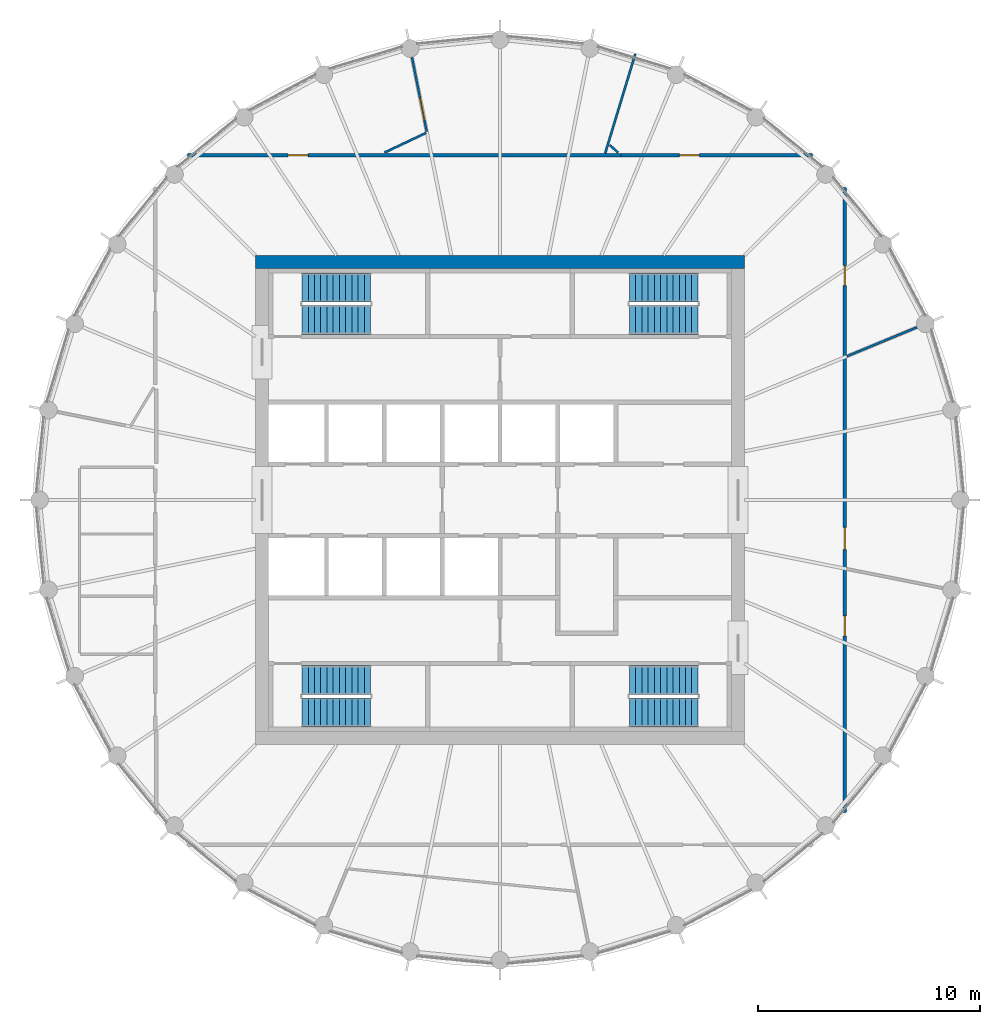
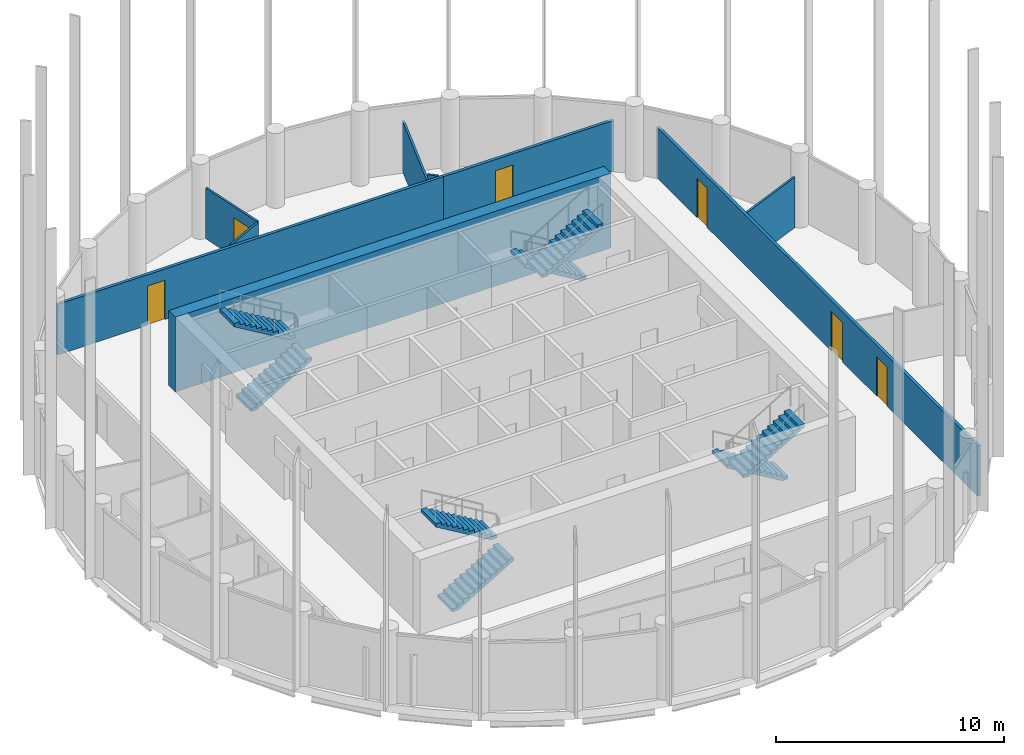
# One storey, part 6 of 7: 9 walls, 8 stair flights, 6 doors, 6 openings, 4 elements without a shape of their own.
"""IFC4 building model written with IfcOpenShell, lengths in metres."""

from ifc_helpers import new_model, si_unit, direction, frame, frame_2d, origin, place, context, subcontext, project, spatial, polyline, rectangle, outline, extrude, material, layer, layer_set, type_object, element, fill, aggregate, save


model = new_model("IFC4")

# Units and contexts
model_context = context("Model", 3, precision=1e-05, world=origin(), true_north=direction((0.0, 1.0)))
body_context = subcontext(model_context, "Body", "Model", "MODEL_VIEW")
ifc_project = project(units=[si_unit("LENGTHUNIT", "METRE"), si_unit("AREAUNIT", "SQUARE_METRE"), si_unit("VOLUMEUNIT", "CUBIC_METRE"), si_unit("PLANEANGLEUNIT", "RADIAN"), si_unit("MASSUNIT", "GRAM", prefix="KILO")], contexts=[model_context])

# Site, building, storey
site_placement = place(None, origin())
site = spatial("IfcSite", under=ifc_project, at=site_placement, CompositionType="ELEMENT")
building_placement = place(site_placement, origin())
building = spatial("IfcBuilding", under=site, at=building_placement, Name="Corvane Civic Tower", CompositionType="ELEMENT")
storey_placement = place(building_placement, frame((0.0, 0.0, 324.5)))
storey = spatial("IfcBuildingStorey", under=building, at=storey_placement, Name="L77", CompositionType="ELEMENT", Elevation=324.5)

# Walls
ifc_material_1 = material(Name="Concrete C40/50", Category="concrete")
ifc_layer_1 = layer(ifc_material_1, 0.60009765625)
ifc_layer_set_1 = layer_set([ifc_layer_1], Name="Concrete C40/50")
wall_type_1 = type_object("IfcWallType", Name="CORE WALL 600 C40/50", PredefinedType="SHEAR", material=ifc_layer_set_1)
wall_1_placement = place(storey_placement, frame((-11.0, 10.699951171875, 0.0), z_axis=(0.0, 0.0, 1.0), x_axis=(1.0, 0.0, 0.0)))
element("IfcWall", 1, at=wall_1_placement, inside=storey, type_object=wall_type_1, Name="W-L77-core-N", PredefinedType="SHEAR", context=body_context, shape_type="SweptSolid", body=[
    extrude(rectangle(XDim=22.0, YDim=0.60009765625, at=frame_2d((11.0, 0.0))), origin(), (0.0, 0.0, 1.0), 4.0),
])
ifc_material_2 = material(Name="Plasterboard")
ifc_layer_2 = layer(ifc_material_2, 0.10009765625)
ifc_layer_set_2 = layer_set([ifc_layer_2], Name="Plasterboard")
wall_type_2 = type_object("IfcWallType", Name="Partition 100 plasterboard on studs", PredefinedType="PARTITIONING", material=ifc_layer_set_2)
wall_2_placement = place(storey_placement, frame((15.593994140625, 6.459228515625, 0.0), z_axis=(0.0, 0.0, 1.0), x_axis=(0.923881629558, 0.382678369606, 0.0)))
element("IfcWall", 2, at=wall_2_placement, inside=storey, type_object=wall_type_2, Name="Partition L77.018", PredefinedType="PARTITIONING", context=body_context, shape_type="SweptSolid", body=[
    extrude(rectangle(XDim=3.411376953125, YDim=0.10009765625, at=frame_2d((1.70556640625, 0.0))), origin(), (0.0, 0.0, 1.0), 2.699951171875),
])
wall_3_placement = place(storey_placement, frame((4.72900390625, 15.589599609375, 0.0), z_axis=(0.0, 0.0, 1.0), x_axis=(0.290298250417, 0.956936218253, 0.0)))
element("IfcWall", 3, at=wall_3_placement, inside=storey, type_object=wall_type_2, Name="Partition L77.021", PredefinedType="PARTITIONING", context=body_context, shape_type="SweptSolid", body=[
    extrude(rectangle(XDim=4.6591796875, YDim=0.10009765625, at=frame_2d((2.32958984375, 0.0))), origin(), (0.0, 0.0, 1.0), 2.699951171875),
])
wall_4_placement = place(storey_placement, frame((-5.1923828125, 15.6201171875, 0.0), z_axis=(0.0, 0.0, 1.0), x_axis=(0.904004297202, 0.427523368532, 0.0)))
element("IfcWall", 4, at=wall_4_placement, inside=storey, type_object=wall_type_2, Name="Partition L77.022", PredefinedType="PARTITIONING", context=body_context, shape_type="SweptSolid", body=[
    extrude(rectangle(XDim=2.069580078125, YDim=0.10009765625, at=frame_2d((1.03466796875, 0.0))), origin(), (0.0, 0.0, 1.0), 2.699951171875),
])

# Wall, opening, door
wall_5_placement = place(storey_placement, frame((-3.95849609375, 19.900146484375, 0.0), z_axis=(0.0, 0.0, 1.0), x_axis=(0.195123488807, -0.980778682535, 0.0)))
wall_5 = element("IfcWall", 5, at=wall_5_placement, inside=storey, type_object=wall_type_2, Name="Partition L77.023", PredefinedType="PARTITIONING", context=body_context, shape_type="SweptSolid", body=[
    extrude(rectangle(XDim=3.40576171875, YDim=0.10009765625, at=frame_2d((1.702880859375, 0.0))), origin(), (0.0, 0.0, 1.0), 2.699951171875),
])
opening_1_placement = place(wall_5_placement, frame((1.877197265625, 0.0, 0.0)))
opening_1 = element("IfcOpeningElement", 6, at=opening_1_placement, cuts=wall_5, Name="Opening L77.003", PredefinedType="OPENING", context=body_context, shape_type="SweptSolid", body=[
    extrude(rectangle(XDim=1.0, YDim=2.10009765625, at=frame_2d((0.5, 1.050048828125))), frame((0.0, 0.06005859375, 0.0), z_axis=(0.0, -1.0, 0.0), x_axis=(1.0, 0.0, 0.0)), (0.0, 0.0, 1.0), 0.1201171875),
])
ifc_material_3 = material(Name="Timber", Category="wood")
door_type_1 = type_object("IfcDoorType", Name="Single door 1000", OperationType="NOTDEFINED", PredefinedType="DOOR", material=ifc_material_3)
door_1_placement = place(opening_1_placement, origin())
door_1 = element("IfcDoor", 7, at=door_1_placement, inside=storey, type_object=door_type_1, Name="Door L77.003", OperationType="SINGLE_SWING_LEFT", OverallHeight=2.10009765625, OverallWidth=1.0, PredefinedType="DOOR", context=body_context, shape_type="SweptSolid", body=[
    extrude(rectangle(XDim=1.0, YDim=2.10009765625, at=frame_2d((0.5, 1.050048828125))), frame((0.0, 0.02490234375, 0.0), z_axis=(0.0, -1.0, 0.0), x_axis=(1.0, 0.0, 0.0)), (0.0, 0.0, 1.0), 0.050048828125),
])
fill(opening_1, door_1)

# Wall
wall_6_placement = place(storey_placement, frame((4.9345703125, 15.957275390625, 0.0), z_axis=(0.0, 0.0, 1.0), x_axis=(0.74097950347, -0.671527643093, 0.0)))
element("IfcWall", 8, at=wall_6_placement, inside=storey, type_object=wall_type_2, Name="Partition L77.024", PredefinedType="PARTITIONING", context=body_context, shape_type="SweptSolid", body=[
    extrude(rectangle(XDim=0.509765625, YDim=0.10009765625, at=frame_2d((0.2548828125, 0.0))), origin(), (0.0, 0.0, 1.0), 2.699951171875),
])

# Wall, openings, doors
ifc_material_4 = material(Name="Plasterboard")
ifc_layer_3 = layer(ifc_material_4, 0.14990234375)
ifc_layer_set_3 = layer_set([ifc_layer_3], Name="Plasterboard")
wall_type_3 = type_object("IfcWallType", Name="Tenancy wall 150 EI 60", PredefinedType="PARTITIONING", material=ifc_layer_set_3)
wall_7_placement = place(storey_placement, frame((15.5, -14.05712890625, 0.0), z_axis=(0.0, 0.0, 1.0), x_axis=(0.0, 1.0, 0.0)))
wall_7 = element("IfcWall", 9, at=wall_7_placement, inside=storey, type_object=wall_type_3, Name="Partition L77.006", PredefinedType="PARTITIONING", context=body_context, shape_type="SweptSolid", body=[
    extrude(rectangle(XDim=28.1142578125, YDim=0.14990234375, at=frame_2d((14.05712890625, 0.0))), origin(), (0.0, 0.0, 1.0), 2.699951171875),
])
opening_2_placement = place(wall_7_placement, frame((23.69189453125, 0.0, 0.0)))
opening_2 = element("IfcOpeningElement", 10, at=opening_2_placement, cuts=wall_7, Name="Opening L77.004", PredefinedType="OPENING", context=body_context, shape_type="SweptSolid", body=[
    extrude(rectangle(XDim=0.89990234375, YDim=2.10009765625, at=frame_2d((0.449951171875, 1.050048828125))), frame((0.0, 0.0849609375, 0.0), z_axis=(0.0, -1.0, 0.0), x_axis=(1.0, 0.0, 0.0)), (0.0, 0.0, 1.0), 0.169921875),
])
opening_3_placement = place(wall_7_placement, frame((11.826416015625, 0.0, 0.0)))
opening_3 = element("IfcOpeningElement", 11, at=opening_3_placement, cuts=wall_7, Name="Opening L77.006", PredefinedType="OPENING", context=body_context, shape_type="SweptSolid", body=[
    extrude(rectangle(XDim=1.0, YDim=2.10009765625, at=frame_2d((0.5, 1.050048828125))), frame((0.0, 0.0849609375, 0.0), z_axis=(0.0, -1.0, 0.0), x_axis=(1.0, 0.0, 0.0)), (0.0, 0.0, 1.0), 0.169921875),
])
opening_4_placement = place(wall_7_placement, frame((7.94677734375, 0.0, 0.0)))
opening_4 = element("IfcOpeningElement", 12, at=opening_4_placement, cuts=wall_7, Name="Opening L77.007", PredefinedType="OPENING", context=body_context, shape_type="SweptSolid", body=[
    extrude(rectangle(XDim=0.89990234375, YDim=2.10009765625, at=frame_2d((0.449951171875, 1.050048828125))), frame((0.0, 0.0849609375, 0.0), z_axis=(0.0, -1.0, 0.0), x_axis=(1.0, 0.0, 0.0)), (0.0, 0.0, 1.0), 0.169921875),
])
ifc_material_5 = material(Name="Steel and timber", Category="steel")
door_type_2 = type_object("IfcDoorType", Name="Fire door FD30S 1000", OperationType="NOTDEFINED", PredefinedType="DOOR", material=ifc_material_5)
door_2_placement = place(opening_3_placement, frame((1.0, 0.0, 0.0), z_axis=(0.0, 0.0, 1.0), x_axis=(-1.0, 0.0, 0.0)))
door_2 = element("IfcDoor", 13, at=door_2_placement, inside=storey, type_object=door_type_2, Name="Door L77.006", OperationType="SINGLE_SWING_LEFT", OverallHeight=2.10009765625, OverallWidth=1.0, PredefinedType="DOOR", context=body_context, shape_type="SweptSolid", body=[
    extrude(rectangle(XDim=1.0, YDim=2.10009765625, at=frame_2d((0.5, 1.050048828125))), frame((0.0, 0.02490234375, 0.0), z_axis=(0.0, -1.0, 0.0), x_axis=(1.0, 0.0, 0.0)), (0.0, 0.0, 1.0), 0.050048828125),
])
fill(opening_3, door_2)
ifc_material_6 = material(Name="Steel and timber", Category="steel")
door_type_3 = type_object("IfcDoorType", Name="Fire door FD30S 900", OperationType="NOTDEFINED", PredefinedType="DOOR", material=ifc_material_6)
door_3_placement = place(opening_2_placement, frame((0.89990234375, 0.0, 0.0), z_axis=(0.0, 0.0, 1.0), x_axis=(-1.0, 0.0, 0.0)))
door_3 = element("IfcDoor", 14, at=door_3_placement, inside=storey, type_object=door_type_3, Name="Door L77.004", OperationType="SINGLE_SWING_LEFT", OverallHeight=2.10009765625, OverallWidth=0.89990234375, PredefinedType="DOOR", context=body_context, shape_type="SweptSolid", body=[
    extrude(rectangle(XDim=0.89990234375, YDim=2.10009765625, at=frame_2d((0.449951171875, 1.050048828125))), frame((0.0, 0.02490234375, 0.0), z_axis=(0.0, -1.0, 0.0), x_axis=(1.0, 0.0, 0.0)), (0.0, 0.0, 1.0), 0.050048828125),
])
fill(opening_2, door_3)
door_4_placement = place(opening_4_placement, frame((0.89990234375, 0.0, 0.0), z_axis=(0.0, 0.0, 1.0), x_axis=(-1.0, 0.0, 0.0)))
door_4 = element("IfcDoor", 15, at=door_4_placement, inside=storey, type_object=door_type_3, Name="Door L77.007", OperationType="SINGLE_SWING_LEFT", OverallHeight=2.10009765625, OverallWidth=0.89990234375, PredefinedType="DOOR", context=body_context, shape_type="SweptSolid", body=[
    extrude(rectangle(XDim=0.89990234375, YDim=2.10009765625, at=frame_2d((0.449951171875, 1.050048828125))), frame((0.0, 0.02490234375, 0.0), z_axis=(0.0, -1.0, 0.0), x_axis=(1.0, 0.0, 0.0)), (0.0, 0.0, 1.0), 0.050048828125),
])
fill(opening_4, door_4)

# Wall, opening, door
wall_8_placement = place(storey_placement, frame((-14.05712890625, 15.5, 0.0), z_axis=(0.0, 0.0, 1.0), x_axis=(1.0, 0.0, 0.0)))
wall_8 = element("IfcWall", 16, at=wall_8_placement, inside=storey, type_object=wall_type_3, Name="Partition L77.019", PredefinedType="PARTITIONING", context=body_context, shape_type="SweptSolid", body=[
    extrude(rectangle(XDim=19.496337890625, YDim=0.14990234375, at=frame_2d((9.748046875, 0.0))), origin(), (0.0, 0.0, 1.0), 2.699951171875),
])
opening_5_placement = place(wall_8_placement, frame((4.52880859375, 0.0, 0.0)))
opening_5 = element("IfcOpeningElement", 17, at=opening_5_placement, cuts=wall_8, Name="Opening L77.002", PredefinedType="OPENING", context=body_context, shape_type="SweptSolid", body=[
    extrude(rectangle(XDim=0.89990234375, YDim=2.10009765625, at=frame_2d((0.449951171875, 1.050048828125))), frame((0.0, 0.0849609375, 0.0), z_axis=(0.0, -1.0, 0.0), x_axis=(1.0, 0.0, 0.0)), (0.0, 0.0, 1.0), 0.169921875),
])
door_5_placement = place(opening_5_placement, origin())
door_5 = element("IfcDoor", 18, at=door_5_placement, inside=storey, type_object=door_type_3, Name="Door L77.002", OperationType="SINGLE_SWING_RIGHT", OverallHeight=2.10009765625, OverallWidth=0.89990234375, PredefinedType="DOOR", context=body_context, shape_type="SweptSolid", body=[
    extrude(rectangle(XDim=0.89990234375, YDim=2.10009765625, at=frame_2d((0.449951171875, 1.050048828125))), frame((0.0, 0.02490234375, 0.0), z_axis=(0.0, -1.0, 0.0), x_axis=(1.0, 0.0, 0.0)), (0.0, 0.0, 1.0), 0.050048828125),
])
fill(opening_5, door_5)

wall_9_placement = place(storey_placement, frame((5.439208984375, 15.5, 0.0), z_axis=(0.0, 0.0, 1.0), x_axis=(1.0, 0.0, 0.0)))
wall_9 = element("IfcWall", 19, at=wall_9_placement, inside=storey, type_object=wall_type_3, Name="Partition L77.020", PredefinedType="PARTITIONING", context=body_context, shape_type="SweptSolid", body=[
    extrude(rectangle(XDim=8.617919921875, YDim=0.14990234375, at=frame_2d((4.30908203125, 0.0))), origin(), (0.0, 0.0, 1.0), 2.699951171875),
])
opening_6_placement = place(wall_9_placement, frame((2.622802734375, 0.0, 0.0)))
opening_6 = element("IfcOpeningElement", 20, at=opening_6_placement, cuts=wall_9, Name="Opening L77.005", PredefinedType="OPENING", context=body_context, shape_type="SweptSolid", body=[
    extrude(rectangle(XDim=0.89990234375, YDim=2.10009765625, at=frame_2d((0.449951171875, 1.050048828125))), frame((0.0, 0.0849609375, 0.0), z_axis=(0.0, -1.0, 0.0), x_axis=(1.0, 0.0, 0.0)), (0.0, 0.0, 1.0), 0.169921875),
])
door_6_placement = place(opening_6_placement, origin())
door_6 = element("IfcDoor", 21, at=door_6_placement, inside=storey, type_object=door_type_3, Name="Door L77.005", OperationType="SINGLE_SWING_RIGHT", OverallHeight=2.10009765625, OverallWidth=0.89990234375, PredefinedType="DOOR", context=body_context, shape_type="SweptSolid", body=[
    extrude(rectangle(XDim=0.89990234375, YDim=2.10009765625, at=frame_2d((0.449951171875, 1.050048828125))), frame((0.0, 0.02490234375, 0.0), z_axis=(0.0, -1.0, 0.0), x_axis=(1.0, 0.0, 0.0)), (0.0, 0.0, 1.0), 0.050048828125),
])
fill(opening_6, door_6)

# Stair, stair flights
ifc_material_7 = material(Name="Concrete C40/50", Category="concrete")
stair_type = type_object("IfcStairType", Name="ST-STAIR-HALFTURN", PredefinedType="HALF_TURN_STAIR", material=ifc_material_7)
stair_1_placement = place(storey_placement, origin())
stair_1 = element("IfcStair", 22, at=stair_1_placement, inside=storey, type_object=stair_type, Name="L77 Exit stair ST1", PredefinedType="HALF_TURN_STAIR")
ifc_material_8 = material(Name="Concrete C40/50", Category="concrete")
stair_flight_type = type_object("IfcStairFlightType", Name="ST-FLIGHT-RC", PredefinedType="STRAIGHT", material=ifc_material_8)
stair_flight_1_placement = place(storey_placement, frame((8.89990234375, 9.550048828125, 0.0), z_axis=(0.0, 0.0, 1.0), x_axis=(-1.0, 0.0, 0.0)))
stair_flight_1 = element("IfcStairFlight", 23, at=stair_flight_1_placement, type_object=stair_flight_type, Name="ST1 flight 1", NumberOfRisers=12, NumberOfTreads=11, PredefinedType="STRAIGHT", RiserHeight=0.166666667, TreadLength=0.28, context=body_context, shape_type="SweptSolid", body=[
    extrude(outline(polyline([(0.0, 0.0), (0.0, 0.166748046875), (0.280029296875, 0.166748046875), (0.280029296875, 0.333251953125), (0.56005859375, 0.333251953125), (0.56005859375, 0.5), (0.840087890625, 0.5), (0.840087890625, 0.666748046875), (1.1201171875, 0.666748046875), (1.1201171875, 0.833251953125), (1.39990234375, 0.833251953125), (1.39990234375, 1.0), (1.679931640625, 1.0), (1.679931640625, 1.166748046875), (1.9599609375, 1.166748046875), (1.9599609375, 1.333251953125), (2.239990234375, 1.333251953125), (2.239990234375, 1.5), (2.52001953125, 1.5), (2.52001953125, 1.666748046875), (2.800048828125, 1.666748046875), (2.800048828125, 1.833251953125), (3.080078125, 1.833251953125), (3.080078125, 2.0), (3.080078125, 1.658935546875), (0.29296875, 0.0), (0.0, 0.0)])), frame((0.0, 0.64990234375, 0.0), z_axis=(0.0, -1.0, 0.0), x_axis=(1.0, 0.0, 0.0)), (0.0, 0.0, 1.0), 1.300048828125),
])
stair_flight_2_placement = place(storey_placement, frame((5.820068359375, 8.10009765625, 2.0), z_axis=(0.0, 0.0, 1.0), x_axis=(1.0, 0.0, 0.0)))
stair_flight_2 = element("IfcStairFlight", 24, at=stair_flight_2_placement, type_object=stair_flight_type, Name="ST1 flight 2", NumberOfRisers=12, NumberOfTreads=11, PredefinedType="STRAIGHT", RiserHeight=0.166666667, TreadLength=0.28, context=body_context, shape_type="SweptSolid", body=[
    extrude(outline(polyline([(0.0, 0.0), (0.0, 0.166748046875), (0.280029296875, 0.166748046875), (0.280029296875, 0.333251953125), (0.56005859375, 0.333251953125), (0.56005859375, 0.5), (0.840087890625, 0.5), (0.840087890625, 0.666748046875), (1.1201171875, 0.666748046875), (1.1201171875, 0.833251953125), (1.39990234375, 0.833251953125), (1.39990234375, 1.0), (1.679931640625, 1.0), (1.679931640625, 1.166748046875), (1.9599609375, 1.166748046875), (1.9599609375, 1.333251953125), (2.239990234375, 1.333251953125), (2.239990234375, 1.5), (2.52001953125, 1.5), (2.52001953125, 1.666748046875), (2.800048828125, 1.666748046875), (2.800048828125, 1.833251953125), (3.080078125, 1.833251953125), (3.080078125, 2.0), (3.080078125, 1.658935546875), (0.29296875, 0.0), (0.0, 0.0)])), frame((0.0, 0.64990234375, 0.0), z_axis=(0.0, -1.0, 0.0), x_axis=(1.0, 0.0, 0.0)), (0.0, 0.0, 1.0), 1.300048828125),
])
aggregate(stair_1, [stair_flight_1, stair_flight_2])

stair_2_placement = place(storey_placement, origin())
stair_2 = element("IfcStair", 25, at=stair_2_placement, inside=storey, type_object=stair_type, Name="L77 Exit stair ST2", PredefinedType="HALF_TURN_STAIR")
stair_flight_3_placement = place(storey_placement, frame((8.89990234375, -8.10009765625, 0.0), z_axis=(0.0, 0.0, 1.0), x_axis=(-1.0, 0.0, 0.0)))
stair_flight_3 = element("IfcStairFlight", 26, at=stair_flight_3_placement, type_object=stair_flight_type, Name="ST2 flight 1", NumberOfRisers=12, NumberOfTreads=11, PredefinedType="STRAIGHT", RiserHeight=0.166666667, TreadLength=0.28, context=body_context, shape_type="SweptSolid", body=[
    extrude(outline(polyline([(0.0, 0.0), (0.0, 0.166748046875), (0.280029296875, 0.166748046875), (0.280029296875, 0.333251953125), (0.56005859375, 0.333251953125), (0.56005859375, 0.5), (0.840087890625, 0.5), (0.840087890625, 0.666748046875), (1.1201171875, 0.666748046875), (1.1201171875, 0.833251953125), (1.39990234375, 0.833251953125), (1.39990234375, 1.0), (1.679931640625, 1.0), (1.679931640625, 1.166748046875), (1.9599609375, 1.166748046875), (1.9599609375, 1.333251953125), (2.239990234375, 1.333251953125), (2.239990234375, 1.5), (2.52001953125, 1.5), (2.52001953125, 1.666748046875), (2.800048828125, 1.666748046875), (2.800048828125, 1.833251953125), (3.080078125, 1.833251953125), (3.080078125, 2.0), (3.080078125, 1.658935546875), (0.29296875, 0.0), (0.0, 0.0)])), frame((0.0, 0.64990234375, 0.0), z_axis=(0.0, -1.0, 0.0), x_axis=(1.0, 0.0, 0.0)), (0.0, 0.0, 1.0), 1.300048828125),
])
stair_flight_4_placement = place(storey_placement, frame((5.820068359375, -9.550048828125, 2.0), z_axis=(0.0, 0.0, 1.0), x_axis=(1.0, 0.0, 0.0)))
stair_flight_4 = element("IfcStairFlight", 27, at=stair_flight_4_placement, type_object=stair_flight_type, Name="ST2 flight 2", NumberOfRisers=12, NumberOfTreads=11, PredefinedType="STRAIGHT", RiserHeight=0.166666667, TreadLength=0.28, context=body_context, shape_type="SweptSolid", body=[
    extrude(outline(polyline([(0.0, 0.0), (0.0, 0.166748046875), (0.280029296875, 0.166748046875), (0.280029296875, 0.333251953125), (0.56005859375, 0.333251953125), (0.56005859375, 0.5), (0.840087890625, 0.5), (0.840087890625, 0.666748046875), (1.1201171875, 0.666748046875), (1.1201171875, 0.833251953125), (1.39990234375, 0.833251953125), (1.39990234375, 1.0), (1.679931640625, 1.0), (1.679931640625, 1.166748046875), (1.9599609375, 1.166748046875), (1.9599609375, 1.333251953125), (2.239990234375, 1.333251953125), (2.239990234375, 1.5), (2.52001953125, 1.5), (2.52001953125, 1.666748046875), (2.800048828125, 1.666748046875), (2.800048828125, 1.833251953125), (3.080078125, 1.833251953125), (3.080078125, 2.0), (3.080078125, 1.658935546875), (0.29296875, 0.0), (0.0, 0.0)])), frame((0.0, 0.64990234375, 0.0), z_axis=(0.0, -1.0, 0.0), x_axis=(1.0, 0.0, 0.0)), (0.0, 0.0, 1.0), 1.300048828125),
])
aggregate(stair_2, [stair_flight_3, stair_flight_4])

stair_3_placement = place(storey_placement, origin())
stair_3 = element("IfcStair", 28, at=stair_3_placement, inside=storey, type_object=stair_type, Name="L77 Exit stair ST3", PredefinedType="HALF_TURN_STAIR")
stair_flight_5_placement = place(storey_placement, frame((-8.89990234375, -9.550048828125, 0.0), z_axis=(0.0, 0.0, 1.0), x_axis=(1.0, 0.0, 0.0)))
stair_flight_5 = element("IfcStairFlight", 29, at=stair_flight_5_placement, type_object=stair_flight_type, Name="ST3 flight 1", NumberOfRisers=12, NumberOfTreads=11, PredefinedType="STRAIGHT", RiserHeight=0.166666667, TreadLength=0.28, context=body_context, shape_type="SweptSolid", body=[
    extrude(outline(polyline([(0.0, 0.0), (0.0, 0.166748046875), (0.280029296875, 0.166748046875), (0.280029296875, 0.333251953125), (0.56005859375, 0.333251953125), (0.56005859375, 0.5), (0.840087890625, 0.5), (0.840087890625, 0.666748046875), (1.1201171875, 0.666748046875), (1.1201171875, 0.833251953125), (1.39990234375, 0.833251953125), (1.39990234375, 1.0), (1.679931640625, 1.0), (1.679931640625, 1.166748046875), (1.9599609375, 1.166748046875), (1.9599609375, 1.333251953125), (2.239990234375, 1.333251953125), (2.239990234375, 1.5), (2.52001953125, 1.5), (2.52001953125, 1.666748046875), (2.800048828125, 1.666748046875), (2.800048828125, 1.833251953125), (3.080078125, 1.833251953125), (3.080078125, 2.0), (3.080078125, 1.658935546875), (0.29296875, 0.0), (0.0, 0.0)])), frame((0.0, 0.64990234375, 0.0), z_axis=(0.0, -1.0, 0.0), x_axis=(1.0, 0.0, 0.0)), (0.0, 0.0, 1.0), 1.300048828125),
])
stair_flight_6_placement = place(storey_placement, frame((-5.820068359375, -8.10009765625, 2.0), z_axis=(0.0, 0.0, 1.0), x_axis=(-1.0, 0.0, 0.0)))
stair_flight_6 = element("IfcStairFlight", 30, at=stair_flight_6_placement, type_object=stair_flight_type, Name="ST3 flight 2", NumberOfRisers=12, NumberOfTreads=11, PredefinedType="STRAIGHT", RiserHeight=0.166666667, TreadLength=0.28, context=body_context, shape_type="SweptSolid", body=[
    extrude(outline(polyline([(0.0, 0.0), (0.0, 0.166748046875), (0.280029296875, 0.166748046875), (0.280029296875, 0.333251953125), (0.56005859375, 0.333251953125), (0.56005859375, 0.5), (0.840087890625, 0.5), (0.840087890625, 0.666748046875), (1.1201171875, 0.666748046875), (1.1201171875, 0.833251953125), (1.39990234375, 0.833251953125), (1.39990234375, 1.0), (1.679931640625, 1.0), (1.679931640625, 1.166748046875), (1.9599609375, 1.166748046875), (1.9599609375, 1.333251953125), (2.239990234375, 1.333251953125), (2.239990234375, 1.5), (2.52001953125, 1.5), (2.52001953125, 1.666748046875), (2.800048828125, 1.666748046875), (2.800048828125, 1.833251953125), (3.080078125, 1.833251953125), (3.080078125, 2.0), (3.080078125, 1.658935546875), (0.29296875, 0.0), (0.0, 0.0)])), frame((0.0, 0.64990234375, 0.0), z_axis=(0.0, -1.0, 0.0), x_axis=(1.0, 0.0, 0.0)), (0.0, 0.0, 1.0), 1.300048828125),
])
aggregate(stair_3, [stair_flight_5, stair_flight_6])

stair_4_placement = place(storey_placement, origin())
stair_4 = element("IfcStair", 31, at=stair_4_placement, inside=storey, type_object=stair_type, Name="L77 Exit stair ST4", PredefinedType="HALF_TURN_STAIR")
stair_flight_7_placement = place(storey_placement, frame((-8.89990234375, 8.10009765625, 0.0), z_axis=(0.0, 0.0, 1.0), x_axis=(1.0, 0.0, 0.0)))
stair_flight_7 = element("IfcStairFlight", 32, at=stair_flight_7_placement, type_object=stair_flight_type, Name="ST4 flight 1", NumberOfRisers=12, NumberOfTreads=11, PredefinedType="STRAIGHT", RiserHeight=0.166666667, TreadLength=0.28, context=body_context, shape_type="SweptSolid", body=[
    extrude(outline(polyline([(0.0, 0.0), (0.0, 0.166748046875), (0.280029296875, 0.166748046875), (0.280029296875, 0.333251953125), (0.56005859375, 0.333251953125), (0.56005859375, 0.5), (0.840087890625, 0.5), (0.840087890625, 0.666748046875), (1.1201171875, 0.666748046875), (1.1201171875, 0.833251953125), (1.39990234375, 0.833251953125), (1.39990234375, 1.0), (1.679931640625, 1.0), (1.679931640625, 1.166748046875), (1.9599609375, 1.166748046875), (1.9599609375, 1.333251953125), (2.239990234375, 1.333251953125), (2.239990234375, 1.5), (2.52001953125, 1.5), (2.52001953125, 1.666748046875), (2.800048828125, 1.666748046875), (2.800048828125, 1.833251953125), (3.080078125, 1.833251953125), (3.080078125, 2.0), (3.080078125, 1.658935546875), (0.29296875, 0.0), (0.0, 0.0)])), frame((0.0, 0.64990234375, 0.0), z_axis=(0.0, -1.0, 0.0), x_axis=(1.0, 0.0, 0.0)), (0.0, 0.0, 1.0), 1.300048828125),
])
stair_flight_8_placement = place(storey_placement, frame((-5.820068359375, 9.550048828125, 2.0), z_axis=(0.0, 0.0, 1.0), x_axis=(-1.0, 0.0, 0.0)))
stair_flight_8 = element("IfcStairFlight", 33, at=stair_flight_8_placement, type_object=stair_flight_type, Name="ST4 flight 2", NumberOfRisers=12, NumberOfTreads=11, PredefinedType="STRAIGHT", RiserHeight=0.166666667, TreadLength=0.28, context=body_context, shape_type="SweptSolid", body=[
    extrude(outline(polyline([(0.0, 0.0), (0.0, 0.166748046875), (0.280029296875, 0.166748046875), (0.280029296875, 0.333251953125), (0.56005859375, 0.333251953125), (0.56005859375, 0.5), (0.840087890625, 0.5), (0.840087890625, 0.666748046875), (1.1201171875, 0.666748046875), (1.1201171875, 0.833251953125), (1.39990234375, 0.833251953125), (1.39990234375, 1.0), (1.679931640625, 1.0), (1.679931640625, 1.166748046875), (1.9599609375, 1.166748046875), (1.9599609375, 1.333251953125), (2.239990234375, 1.333251953125), (2.239990234375, 1.5), (2.52001953125, 1.5), (2.52001953125, 1.666748046875), (2.800048828125, 1.666748046875), (2.800048828125, 1.833251953125), (3.080078125, 1.833251953125), (3.080078125, 2.0), (3.080078125, 1.658935546875), (0.29296875, 0.0), (0.0, 0.0)])), frame((0.0, 0.64990234375, 0.0), z_axis=(0.0, -1.0, 0.0), x_axis=(1.0, 0.0, 0.0)), (0.0, 0.0, 1.0), 1.300048828125),
])
aggregate(stair_4, [stair_flight_7, stair_flight_8])

save(model, "model.ifc")
